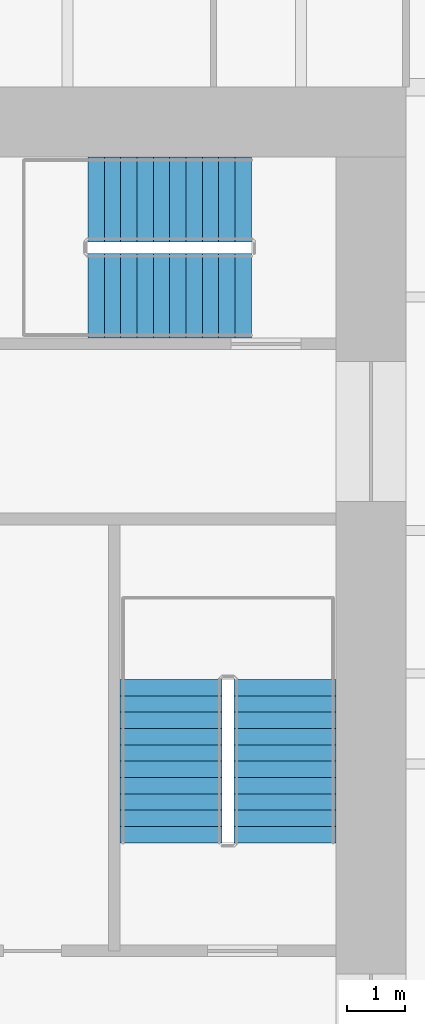
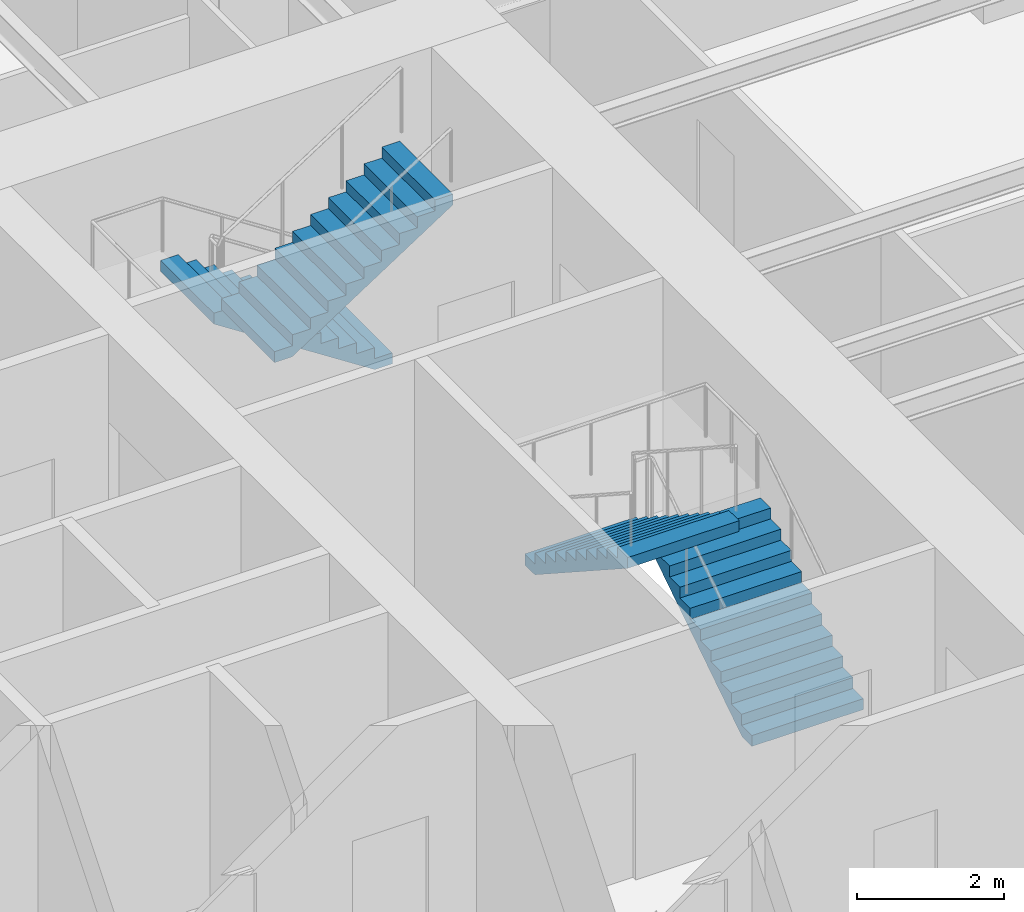
# One storey, part 12 of 13: 4 stair flights, 2 elements without a shape of their own.
"""IFC4 building model written with IfcOpenShell, lengths in metres."""

from ifc_helpers import new_model, si_unit, direction, frame, origin, place, context, subcontext, project, spatial, polyline, outline, extrude, material, type_object, element, aggregate, save


model = new_model("IFC4")

# Units and contexts
model_context = context("Model", 3, precision=1e-05, world=origin(), true_north=direction((0.0, 1.0)))
body_context = subcontext(model_context, "Body", "Model", "MODEL_VIEW")
ifc_project = project(units=[si_unit("LENGTHUNIT", "METRE"), si_unit("AREAUNIT", "SQUARE_METRE"), si_unit("VOLUMEUNIT", "CUBIC_METRE"), si_unit("PLANEANGLEUNIT", "RADIAN"), si_unit("MASSUNIT", "GRAM", prefix="KILO")], contexts=[model_context])

# Site, building, storey
site_placement = place(None, origin())
site = spatial("IfcSite", under=ifc_project, at=site_placement, CompositionType="ELEMENT")
building_placement = place(site_placement, origin())
building = spatial("IfcBuilding", under=site, at=building_placement, Name="Verdant Reach Tower", CompositionType="ELEMENT")
storey_placement = place(building_placement, frame((0.0, 0.0, 94.0)))
storey = spatial("IfcBuildingStorey", under=building, at=storey_placement, Name="L21", CompositionType="ELEMENT", Elevation=94.0)

# Stair, stair flights
ifc_material = material(Name="Concrete C40/50", Category="concrete")
stair_type = type_object("IfcStairType", Name="CO-STAIR", PredefinedType="HALF_TURN_STAIR", material=ifc_material)
stair_1_placement = place(storey_placement, origin())
stair_1 = element("IfcStair", 1, at=stair_1_placement, inside=storey, type_object=stair_type, Name="L21 Exit stair 2", PredefinedType="HALF_TURN_STAIR")
stair_flight_type = type_object("IfcStairFlightType", Name="CO-STAIR-FLIGHT", PredefinedType="STRAIGHT", material=ifc_material)
stair_flight_1_placement = place(storey_placement, frame((11.72509765625, 25.85009765625, 0.0), z_axis=(0.0, 0.0, 1.0), x_axis=(0.0, 1.0, 0.0)))
stair_flight_1 = element("IfcStairFlight", 2, at=stair_flight_1_placement, type_object=stair_flight_type, Name="ST-2 flight 1", NumberOfRisers=11, NumberOfTreads=10, PredefinedType="STRAIGHT", RiserHeight=0.181818182, TreadLength=0.28, context=body_context, shape_type="SweptSolid", body=[
    extrude(outline(polyline([(0.0, 0.0), (0.0, 0.181884765625), (0.280029296875, 0.181884765625), (0.280029296875, 0.363525390625), (0.56005859375, 0.363525390625), (0.56005859375, 0.54541015625), (0.840087890625, 0.54541015625), (0.840087890625, 0.727294921875), (1.1201171875, 0.727294921875), (1.1201171875, 0.9091796875), (1.39990234375, 0.9091796875), (1.39990234375, 1.0908203125), (1.679931640625, 1.0908203125), (1.679931640625, 1.272705078125), (1.9599609375, 1.272705078125), (1.9599609375, 1.45458984375), (2.239990234375, 1.45458984375), (2.239990234375, 1.636474609375), (2.52001953125, 1.636474609375), (2.52001953125, 1.818115234375), (2.800048828125, 1.818115234375), (2.800048828125, 2.0), (2.800048828125, 1.639404296875), (0.275146484375, 0.0), (0.0, 0.0)])), frame((0.0, 0.875, 0.0), z_axis=(0.0, -1.0, 0.0), x_axis=(1.0, 0.0, 0.0)), (0.0, 0.0, 1.0), 1.75),
])
stair_flight_2_placement = place(storey_placement, frame((9.77490234375, 28.64990234375, 2.0), z_axis=(0.0, 0.0, 1.0), x_axis=(0.0, -1.0, 0.0)))
stair_flight_2 = element("IfcStairFlight", 3, at=stair_flight_2_placement, type_object=stair_flight_type, Name="ST-2 flight 2", NumberOfRisers=11, NumberOfTreads=10, PredefinedType="STRAIGHT", RiserHeight=0.181818182, TreadLength=0.28, context=body_context, shape_type="SweptSolid", body=[
    extrude(outline(polyline([(0.0, 0.0), (0.0, 0.181884765625), (0.280029296875, 0.181884765625), (0.280029296875, 0.363525390625), (0.56005859375, 0.363525390625), (0.56005859375, 0.54541015625), (0.840087890625, 0.54541015625), (0.840087890625, 0.727294921875), (1.1201171875, 0.727294921875), (1.1201171875, 0.9091796875), (1.39990234375, 0.9091796875), (1.39990234375, 1.0908203125), (1.679931640625, 1.0908203125), (1.679931640625, 1.272705078125), (1.9599609375, 1.272705078125), (1.9599609375, 1.45458984375), (2.239990234375, 1.45458984375), (2.239990234375, 1.636474609375), (2.52001953125, 1.636474609375), (2.52001953125, 1.818115234375), (2.800048828125, 1.818115234375), (2.800048828125, 2.0), (2.800048828125, 1.639404296875), (0.275146484375, 0.0), (0.0, 0.0)])), frame((0.0, 0.875, 0.0), z_axis=(0.0, -1.0, 0.0), x_axis=(1.0, 0.0, 0.0)), (0.0, 0.0, 1.0), 1.75),
])
aggregate(stair_1, [stair_flight_1, stair_flight_2])

stair_2_placement = place(storey_placement, origin())
stair_2 = element("IfcStair", 4, at=stair_2_placement, inside=storey, type_object=stair_type, Name="L21 Exit stair 3", PredefinedType="HALF_TURN_STAIR")
stair_flight_3_placement = place(storey_placement, frame((11.14990234375, 36.875, 0.0), z_axis=(0.0, 0.0, 1.0), x_axis=(-1.0, 0.0, 0.0)))
stair_flight_3 = element("IfcStairFlight", 5, at=stair_flight_3_placement, type_object=stair_flight_type, Name="ST-3 flight 1", NumberOfRisers=11, NumberOfTreads=10, PredefinedType="STRAIGHT", RiserHeight=0.181818182, TreadLength=0.28, context=body_context, shape_type="SweptSolid", body=[
    extrude(outline(polyline([(0.0, 0.0), (0.0, 0.181884765625), (0.280029296875, 0.181884765625), (0.280029296875, 0.363525390625), (0.56005859375, 0.363525390625), (0.56005859375, 0.54541015625), (0.840087890625, 0.54541015625), (0.840087890625, 0.727294921875), (1.1201171875, 0.727294921875), (1.1201171875, 0.9091796875), (1.39990234375, 0.9091796875), (1.39990234375, 1.0908203125), (1.679931640625, 1.0908203125), (1.679931640625, 1.272705078125), (1.9599609375, 1.272705078125), (1.9599609375, 1.45458984375), (2.239990234375, 1.45458984375), (2.239990234375, 1.636474609375), (2.52001953125, 1.636474609375), (2.52001953125, 1.818115234375), (2.800048828125, 1.818115234375), (2.800048828125, 2.0), (2.800048828125, 1.639404296875), (0.275146484375, 0.0), (0.0, 0.0)])), frame((0.0, 0.72509765625, 0.0), z_axis=(0.0, -1.0, 0.0), x_axis=(1.0, 0.0, 0.0)), (0.0, 0.0, 1.0), 1.449951171875),
])
stair_flight_4_placement = place(storey_placement, frame((8.35009765625, 35.22509765625, 2.0), z_axis=(0.0, 0.0, 1.0), x_axis=(1.0, 0.0, 0.0)))
stair_flight_4 = element("IfcStairFlight", 6, at=stair_flight_4_placement, type_object=stair_flight_type, Name="ST-3 flight 2", NumberOfRisers=11, NumberOfTreads=10, PredefinedType="STRAIGHT", RiserHeight=0.181818182, TreadLength=0.28, context=body_context, shape_type="SweptSolid", body=[
    extrude(outline(polyline([(0.0, 0.0), (0.0, 0.181884765625), (0.280029296875, 0.181884765625), (0.280029296875, 0.363525390625), (0.56005859375, 0.363525390625), (0.56005859375, 0.54541015625), (0.840087890625, 0.54541015625), (0.840087890625, 0.727294921875), (1.1201171875, 0.727294921875), (1.1201171875, 0.9091796875), (1.39990234375, 0.9091796875), (1.39990234375, 1.0908203125), (1.679931640625, 1.0908203125), (1.679931640625, 1.272705078125), (1.9599609375, 1.272705078125), (1.9599609375, 1.45458984375), (2.239990234375, 1.45458984375), (2.239990234375, 1.636474609375), (2.52001953125, 1.636474609375), (2.52001953125, 1.818115234375), (2.800048828125, 1.818115234375), (2.800048828125, 2.0), (2.800048828125, 1.639404296875), (0.275146484375, 0.0), (0.0, 0.0)])), frame((0.0, 0.72509765625, 0.0), z_axis=(0.0, -1.0, 0.0), x_axis=(1.0, 0.0, 0.0)), (0.0, 0.0, 1.0), 1.449951171875),
])
aggregate(stair_2, [stair_flight_3, stair_flight_4])

save(model, "model.ifc")
